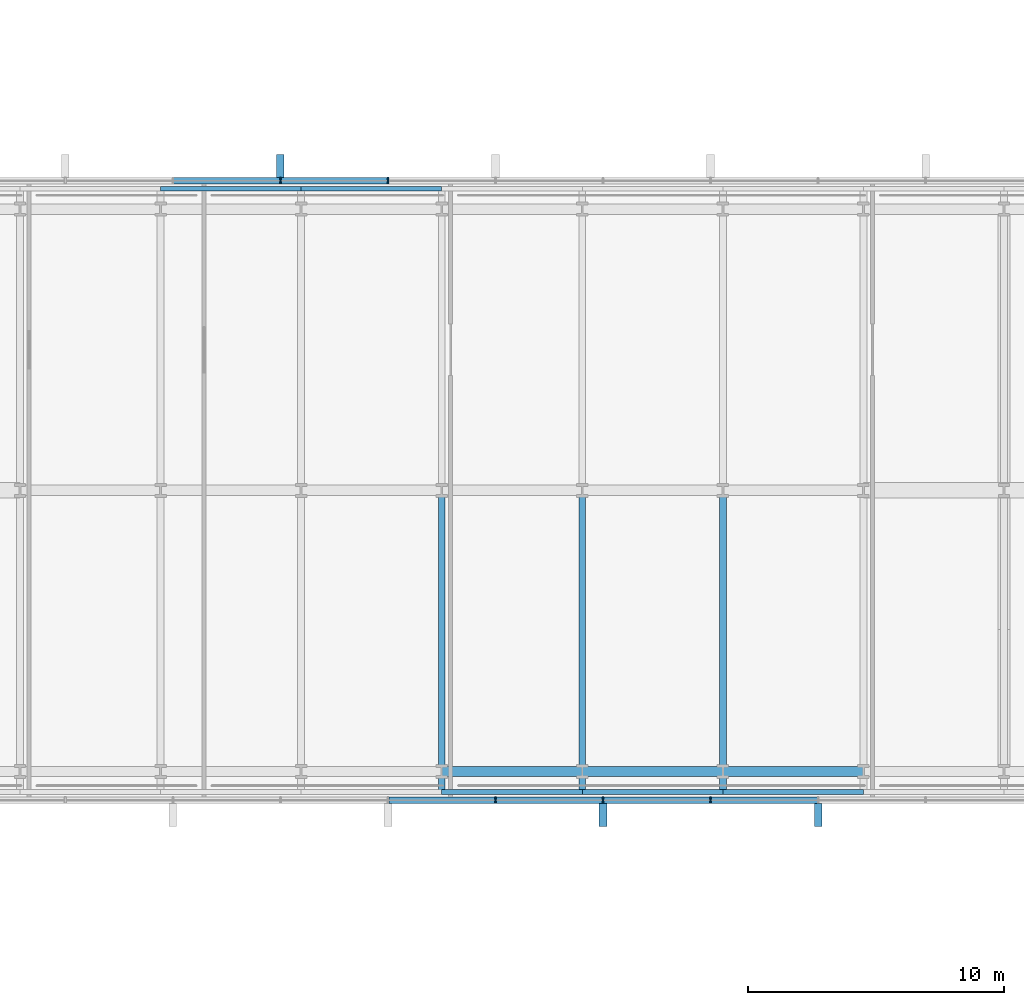
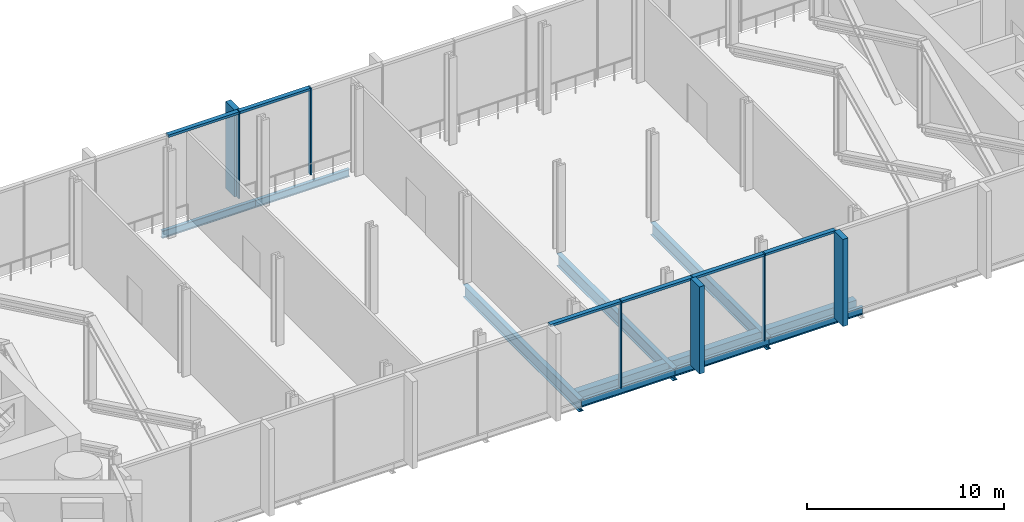
# One storey, part 7 of 21: 14 members, 11 beams, 2 elements without a shape of their own.
"""IFC4 building model written with IfcOpenShell, lengths in metres."""

from ifc_helpers import new_model, si_unit, direction, frame, origin, origin_2d, place, context, subcontext, project, spatial, rectangle, hollow_rectangle, i_section, extrude, material, material_profile, profile_set, type_object, element, aggregate, save


model = new_model("IFC4")

# Units and contexts
model_context = context("Model", 3, precision=1e-05, world=origin(), true_north=direction((0.0, 1.0)))
body_context = subcontext(model_context, "Body", "Model", "MODEL_VIEW")
ifc_project = project(units=[si_unit("LENGTHUNIT", "METRE"), si_unit("AREAUNIT", "SQUARE_METRE"), si_unit("VOLUMEUNIT", "CUBIC_METRE"), si_unit("PLANEANGLEUNIT", "RADIAN"), si_unit("MASSUNIT", "GRAM", prefix="KILO")], contexts=[model_context])

# Site, building, storey
site_placement = place(None, origin())
site = spatial("IfcSite", under=ifc_project, at=site_placement, CompositionType="ELEMENT")
building_placement = place(site_placement, origin())
building = spatial("IfcBuilding", under=site, at=building_placement, Name="Lancet Gate Hotel", CompositionType="ELEMENT")
storey_placement = place(building_placement, frame((0.0, 0.0, 251.89990234375)))
storey = spatial("IfcBuildingStorey", under=building, at=storey_placement, Name="L67", CompositionType="ELEMENT", Elevation=251.89990234375)

# Curtain wall, members
ifc_material_1 = material(Name="Aluminium curtain wall", Category="aluminium")
curtain_wall_type = type_object("IfcCurtainWallType", Name="Sky deck full-height glazing", PredefinedType="USERDEFINED", material=ifc_material_1)
curtain_wall_1_placement = place(storey_placement, origin())
curtain_wall_1 = element("IfcCurtainWall", 1, at=curtain_wall_1_placement, inside=storey, type_object=curtain_wall_type, Name="Bridge block L67 curtain wall S", ObjectType="UNITISED CURTAIN WALL", PredefinedType="USERDEFINED")
ifc_material_2 = material(Name="Aluminium mullion", Category="aluminium")
ifc_material_profile_1 = material_profile(ifc_material_2, rectangle(XDim=0.06494140625, YDim=0.25, at=origin_2d()), Name="MULLION 65x250")
ifc_profile_set_1 = profile_set([ifc_material_profile_1], Name="Aluminium mullion")
member_type_1 = type_object("IfcMemberType", Name="Aluminium mullion 65x250", PredefinedType="MULLION", material=ifc_profile_set_1)
member_1_placement = place(storey_placement, frame((2.103759765625, -12.1201171875, 0.0), z_axis=(0.0, 0.0, 1.0), x_axis=(1.0, 0.0, 0.0)))
member_1 = element("IfcMember", 2, at=member_1_placement, type_object=member_type_1, Name="Bridge block L67 curtain wall S mullion 8", PredefinedType="MULLION", context=body_context, shape_type="SweptSolid", body=[
    extrude(rectangle(XDim=0.06494140625, YDim=0.25, at=origin_2d()), origin(), (0.0, 0.0, 1.0), 5.400146484375),
])
member_2_placement = place(storey_placement, frame((6.3115234375, -12.1201171875, 0.0), z_axis=(0.0, 0.0, 1.0), x_axis=(1.0, 0.0, 0.0)))
member_2 = element("IfcMember", 3, at=member_2_placement, type_object=member_type_1, Name="Bridge block L67 curtain wall S mullion 9", PredefinedType="MULLION", context=body_context, shape_type="SweptSolid", body=[
    extrude(rectangle(XDim=0.06494140625, YDim=0.25, at=origin_2d()), origin(), (0.0, 0.0, 1.0), 5.400146484375),
])
member_3_placement = place(storey_placement, frame((10.519287109375, -12.1201171875, 0.0), z_axis=(0.0, 0.0, 1.0), x_axis=(1.0, 0.0, 0.0)))
member_3 = element("IfcMember", 4, at=member_3_placement, type_object=member_type_1, Name="Bridge block L67 curtain wall S mullion 10", PredefinedType="MULLION", context=body_context, shape_type="SweptSolid", body=[
    extrude(rectangle(XDim=0.06494140625, YDim=0.25, at=origin_2d()), origin(), (0.0, 0.0, 1.0), 5.400146484375),
])

curtain_wall_2_placement = place(storey_placement, origin())
curtain_wall_2 = element("IfcCurtainWall", 5, at=curtain_wall_2_placement, inside=storey, type_object=curtain_wall_type, Name="Bridge block L67 curtain wall N", ObjectType="UNITISED CURTAIN WALL", PredefinedType="USERDEFINED")
member_4_placement = place(storey_placement, frame((-2.103759765625, 12.1201171875, 0.0), z_axis=(0.0, 0.0, 1.0), x_axis=(-1.0, 0.0, 0.0)))
member_4 = element("IfcMember", 6, at=member_4_placement, type_object=member_type_1, Name="Bridge block L67 curtain wall N mullion 8", PredefinedType="MULLION", context=body_context, shape_type="SweptSolid", body=[
    extrude(rectangle(XDim=0.06494140625, YDim=0.25, at=origin_2d()), origin(), (0.0, 0.0, 1.0), 5.400146484375),
])
member_5_placement = place(storey_placement, frame((-6.3115234375, 12.1201171875, 0.0), z_axis=(0.0, 0.0, 1.0), x_axis=(-1.0, 0.0, 0.0)))
member_5 = element("IfcMember", 7, at=member_5_placement, type_object=member_type_1, Name="Bridge block L67 curtain wall N mullion 9", PredefinedType="MULLION", context=body_context, shape_type="SweptSolid", body=[
    extrude(rectangle(XDim=0.06494140625, YDim=0.25, at=origin_2d()), origin(), (0.0, 0.0, 1.0), 5.400146484375),
])

# Member
ifc_material_3 = material(Name="Aluminium transom", Category="aluminium")
ifc_material_profile_2 = material_profile(ifc_material_3, rectangle(XDim=0.25, YDim=0.14990234375, at=origin_2d()), Name="TRANSOM 250x150")
ifc_profile_set_2 = profile_set([ifc_material_profile_2], Name="Aluminium transom")
member_type_2 = type_object("IfcMemberType", Name="Aluminium transom 250x150", PredefinedType="USERDEFINED", material=ifc_profile_set_2)
member_6_placement = place(storey_placement, frame((-2.0712890625, -12.1201171875, 5.3251953125), z_axis=(1.0, 0.0, 0.0), x_axis=(0.0, 1.0, 0.0)))
member_6 = element("IfcMember", 8, at=member_6_placement, type_object=member_type_2, Name="Bridge block L67 curtain wall S transom 7", ObjectType="TRANSOM", PredefinedType="USERDEFINED", context=body_context, shape_type="SweptSolid", body=[
    extrude(rectangle(XDim=0.25, YDim=0.14990234375, at=origin_2d()), origin(), (0.0, 0.0, 1.0), 4.142578125),
])

member_7_placement = place(storey_placement, frame((2.13623046875, -12.1201171875, 5.3251953125), z_axis=(1.0, 0.0, 0.0), x_axis=(0.0, 1.0, 0.0)))
member_7 = element("IfcMember", 9, at=member_7_placement, type_object=member_type_2, Name="Bridge block L67 curtain wall S transom 8", ObjectType="TRANSOM", PredefinedType="USERDEFINED", context=body_context, shape_type="SweptSolid", body=[
    extrude(rectangle(XDim=0.25, YDim=0.14990234375, at=origin_2d()), origin(), (0.0, 0.0, 1.0), 4.142822265625),
])

member_8_placement = place(storey_placement, frame((6.343994140625, -12.1201171875, 5.3251953125), z_axis=(1.0, 0.0, 0.0), x_axis=(0.0, 1.0, 0.0)))
member_8 = element("IfcMember", 10, at=member_8_placement, type_object=member_type_2, Name="Bridge block L67 curtain wall S transom 9", ObjectType="TRANSOM", PredefinedType="USERDEFINED", context=body_context, shape_type="SweptSolid", body=[
    extrude(rectangle(XDim=0.25, YDim=0.14990234375, at=origin_2d()), origin(), (0.0, 0.0, 1.0), 4.142822265625),
])

member_9_placement = place(storey_placement, frame((10.5517578125, -12.1201171875, 5.3251953125), z_axis=(1.0, 0.0, 0.0), x_axis=(0.0, 1.0, 0.0)))
member_9 = element("IfcMember", 11, at=member_9_placement, type_object=member_type_2, Name="Bridge block L67 curtain wall S transom 10", ObjectType="TRANSOM", PredefinedType="USERDEFINED", context=body_context, shape_type="SweptSolid", body=[
    extrude(rectangle(XDim=0.25, YDim=0.14990234375, at=origin_2d()), origin(), (0.0, 0.0, 1.0), 4.142578125),
])

member_10_placement = place(storey_placement, frame((-2.13623046875, 12.1201171875, 5.3251953125), z_axis=(-1.0, 0.0, 0.0), x_axis=(0.0, -1.0, 0.0)))
member_10 = element("IfcMember", 12, at=member_10_placement, type_object=member_type_2, Name="Bridge block L67 curtain wall N transom 8", ObjectType="TRANSOM", PredefinedType="USERDEFINED", context=body_context, shape_type="SweptSolid", body=[
    extrude(rectangle(XDim=0.25, YDim=0.14990234375, at=origin_2d()), origin(), (0.0, 0.0, 1.0), 4.142822265625),
])

member_11_placement = place(storey_placement, frame((-6.343994140625, 12.1201171875, 5.3251953125), z_axis=(-1.0, 0.0, 0.0), x_axis=(0.0, -1.0, 0.0)))
member_11 = element("IfcMember", 13, at=member_11_placement, type_object=member_type_2, Name="Bridge block L67 curtain wall N transom 9", ObjectType="TRANSOM", PredefinedType="USERDEFINED", context=body_context, shape_type="SweptSolid", body=[
    extrude(rectangle(XDim=0.25, YDim=0.14990234375, at=origin_2d()), origin(), (0.0, 0.0, 1.0), 4.142822265625),
])

# Beams
ifc_material_4 = material(Name="Steel S355", Category="steel")
ifc_material_profile_3 = material_profile(ifc_material_4, i_section(OverallWidth=0.26806640625, OverallDepth=0.769775390625, WebThickness=0.015625, FlangeThickness=0.025390625, FilletRadius=0.0166015625, at=origin_2d()), Name="UKB 762x267x197")
ifc_profile_set_3 = profile_set([ifc_material_profile_3], Name="Steel S355")
beam_type_1 = type_object("IfcBeamType", Name="Block assembly floor beam UKB 762x267x197", PredefinedType="JOIST", material=ifc_profile_set_3)
for number, where, z_axis, x_axis, name in (
    (14, (0.0, -11.800048828125, -0.584716796875), (0.0, 1.0, 0.0), (-1.0, 0.0, 0.0), "Block beam x5 S L67"),
    (15, (5.5, -11.800048828125, -0.584716796875), (0.0, 1.0, 0.0), (-1.0, 0.0, 0.0), "Block beam x6 S L67"),
    (16, (11.0, -11.800048828125, -0.584716796875), (0.0, 1.0, 0.0), (-1.0, 0.0, 0.0), "Block beam x7 S L67"),
):
    element("IfcBeam", number, at=place(storey_placement, frame(where, z_axis=z_axis, x_axis=x_axis)), inside=storey, type_object=beam_type_1, Name=name, PredefinedType="JOIST", context=body_context, shape_type="SweptSolid", body=[
        extrude(i_section(OverallWidth=0.26806640625, OverallDepth=0.769775390625, WebThickness=0.015625, FlangeThickness=0.025390625, FilletRadius=0.0166015625, at=origin_2d()), origin(), (0.0, 0.0, 1.0), 11.800048828125),
    ])
ifc_material_5 = material(Name="Steel S355", Category="steel")
ifc_material_profile_4 = material_profile(ifc_material_5, i_section(OverallWidth=0.19140625, OverallDepth=0.4599609375, WebThickness=0.010009765625, FlangeThickness=0.01611328125, FilletRadius=0.01025390625, at=origin_2d()), Name="UKB 457x191x82")
ifc_profile_set_4 = profile_set([ifc_material_profile_4], Name="Steel S355")
beam_type_2 = type_object("IfcBeamType", Name="Block edge beam UKB 457x191x82", PredefinedType="SPANDREL", material=ifc_profile_set_4)
for number, where, z_axis, x_axis, name in (
    (17, (-11.0, 11.800048828125, -0.429931640625), (1.0, 0.0, 0.0), (0.0, 1.0, 0.0), "Block edge beam N 3-4 L67"),
    (18, (-5.5, 11.800048828125, -0.429931640625), (1.0, 0.0, 0.0), (0.0, 1.0, 0.0), "Block edge beam N 4-5 L67"),
    (19, (0.0, -11.800048828125, -0.429931640625), (1.0, 0.0, 0.0), (0.0, 1.0, 0.0), "Block edge beam S 5-6 L67"),
    (20, (5.5, -11.800048828125, -0.429931640625), (1.0, 0.0, 0.0), (0.0, 1.0, 0.0), "Block edge beam S 6-7 L67"),
    (21, (11.0, -11.800048828125, -0.429931640625), (1.0, 0.0, 0.0), (0.0, 1.0, 0.0), "Block edge beam S 7-8 L67"),
):
    element("IfcBeam", number, at=place(storey_placement, frame(where, z_axis=z_axis, x_axis=x_axis)), inside=storey, type_object=beam_type_2, Name=name, PredefinedType="SPANDREL", context=body_context, shape_type="SweptSolid", body=[
        extrude(i_section(OverallWidth=0.19140625, OverallDepth=0.4599609375, WebThickness=0.010009765625, FlangeThickness=0.01611328125, FilletRadius=0.01025390625, at=origin_2d()), origin(), (0.0, 0.0, 1.0), 5.5),
    ])
ifc_material_6 = material(Name="Steel S355", Category="steel")
ifc_material_profile_5 = material_profile(ifc_material_6, hollow_rectangle(XDim=0.39990234375, YDim=0.89990234375, WallThickness=0.0400390625, at=origin_2d()), Name="BOX 900x400x40")
ifc_profile_set_5 = profile_set([ifc_material_profile_5], Name="Steel S355")
beam_type_3 = type_object("IfcBeamType", Name="Block primary beam BOX 900x400x40", PredefinedType="BEAM", material=ifc_profile_set_5)
for number, where, z_axis, x_axis, name in (
    (22, (0.0, -11.0, -0.64990234375), (1.0, 0.0, 0.0), (0.0, 1.0, 0.0), "Block primary beam S 6 L67"),
    (23, (5.5, -11.0, -0.64990234375), (1.0, 0.0, 0.0), (0.0, 1.0, 0.0), "Block primary beam S 7 L67"),
    (24, (11.0, -11.0, -0.64990234375), (1.0, 0.0, 0.0), (0.0, 1.0, 0.0), "Block primary beam S 8 L67"),
):
    element("IfcBeam", number, at=place(storey_placement, frame(where, z_axis=z_axis, x_axis=x_axis)), inside=storey, type_object=beam_type_3, Name=name, PredefinedType="BEAM", context=body_context, shape_type="SweptSolid", body=[
        extrude(hollow_rectangle(XDim=0.39990234375, YDim=0.89990234375, WallThickness=0.0400390625, at=origin_2d()), origin(), (0.0, 0.0, 1.0), 5.5),
    ])

# Member
ifc_material_7 = material(Name="Precast concrete C50/60", Category="concrete")
ifc_material_profile_6 = material_profile(ifc_material_7, rectangle(XDim=0.300048828125, YDim=0.89990234375, at=origin_2d()), Name="FIN 300x900")
ifc_profile_set_6 = profile_set([ifc_material_profile_6], Name="Precast concrete C50/60")
member_type_3 = type_object("IfcMemberType", Name="Exposed concrete fin 300x900", PredefinedType="USERDEFINED", material=ifc_profile_set_6)
member_12_placement = place(storey_placement, frame((6.3115234375, -12.695068359375, 0.0), z_axis=(0.0, 0.0, 1.0), x_axis=(1.0, 0.0, 0.0)))
member_12 = element("IfcMember", 25, at=member_12_placement, type_object=member_type_3, Name="Bridge block L67 curtain wall S fin 9", ObjectType="FIN", PredefinedType="USERDEFINED", context=body_context, shape_type="SweptSolid", body=[
    extrude(rectangle(XDim=0.300048828125, YDim=0.89990234375, at=origin_2d()), origin(), (0.0, 0.0, 1.0), 5.400146484375),
])

member_13_placement = place(storey_placement, frame((14.726806640625, -12.695068359375, 0.0), z_axis=(0.0, 0.0, 1.0), x_axis=(1.0, 0.0, 0.0)))
member_13 = element("IfcMember", 26, at=member_13_placement, type_object=member_type_3, Name="Bridge block L67 curtain wall S fin 11", ObjectType="FIN", PredefinedType="USERDEFINED", context=body_context, shape_type="SweptSolid", body=[
    extrude(rectangle(XDim=0.300048828125, YDim=0.89990234375, at=origin_2d()), origin(), (0.0, 0.0, 1.0), 5.400146484375),
])

aggregate(curtain_wall_1, [member_1, member_2, member_12, member_3, member_13, member_6, member_7, member_8, member_9])

member_14_placement = place(storey_placement, frame((-6.3115234375, 12.695068359375, 0.0), z_axis=(0.0, 0.0, 1.0), x_axis=(-1.0, 0.0, 0.0)))
member_14 = element("IfcMember", 27, at=member_14_placement, type_object=member_type_3, Name="Bridge block L67 curtain wall N fin 9", ObjectType="FIN", PredefinedType="USERDEFINED", context=body_context, shape_type="SweptSolid", body=[
    extrude(rectangle(XDim=0.300048828125, YDim=0.89990234375, at=origin_2d()), origin(), (0.0, 0.0, 1.0), 5.400146484375),
])

aggregate(curtain_wall_2, [member_4, member_5, member_14, member_10, member_11])

save(model, "model.ifc")
